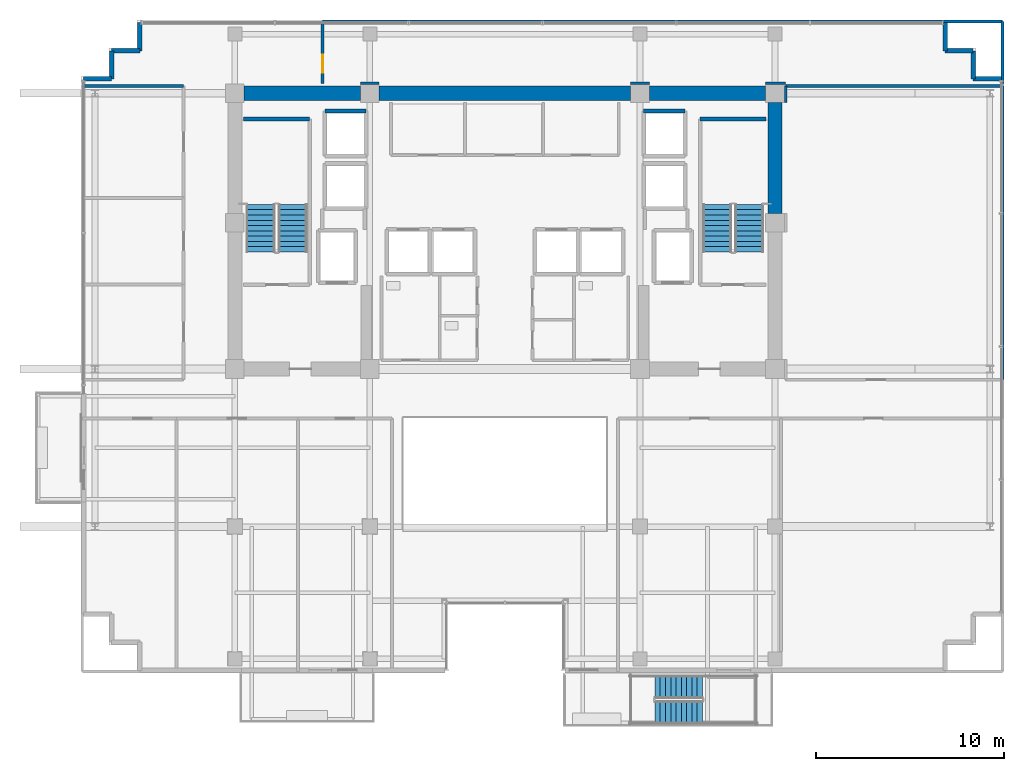
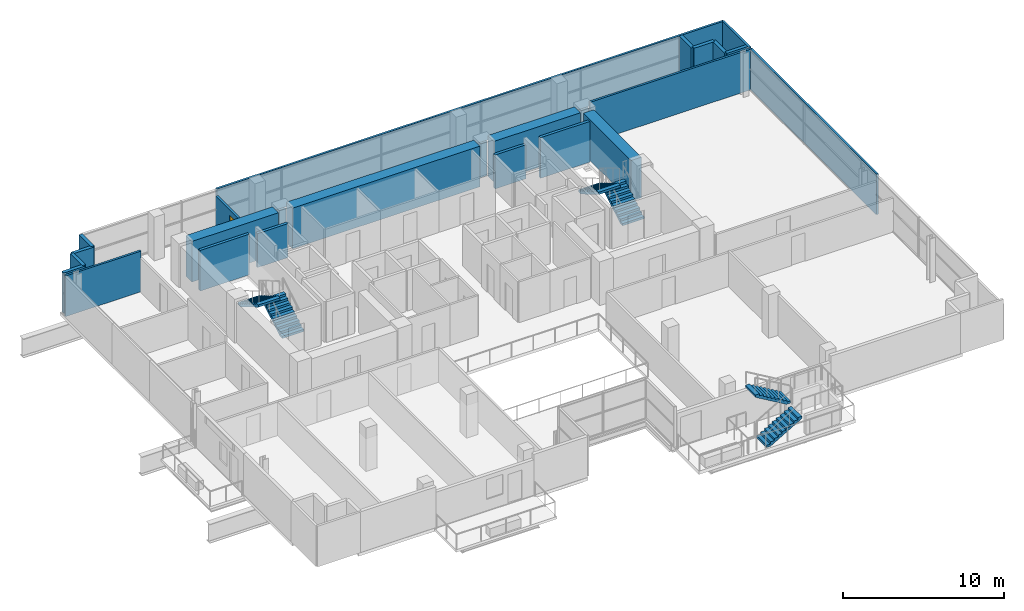
# One storey, part 19 of 23: 26 walls, 6 stair flights, 1 door, 1 opening, 3 elements without a shape of their own.
"""IFC4 building model written with IfcOpenShell, lengths in metres."""

from ifc_helpers import new_model, si_unit, direction, frame, frame_2d, origin, place, context, subcontext, project, spatial, polyline, rectangle, outline, extrude, source, transform, mapped, material, layer, layer_set, type_object, element, fill, aggregate, save


model = new_model("IFC4")

# Units and contexts
model_context = context("Model", 3, precision=1e-05, world=origin(), true_north=direction((0.0, 1.0)))
body_context = subcontext(model_context, "Body", "Model", "MODEL_VIEW")
ifc_project = project(units=[si_unit("LENGTHUNIT", "METRE"), si_unit("AREAUNIT", "SQUARE_METRE"), si_unit("VOLUMEUNIT", "CUBIC_METRE"), si_unit("PLANEANGLEUNIT", "RADIAN"), si_unit("MASSUNIT", "GRAM", prefix="KILO")], contexts=[model_context])

# Site, building, storey
site_placement = place(None, origin())
site = spatial("IfcSite", under=ifc_project, at=site_placement, CompositionType="ELEMENT")
building_placement = place(site_placement, origin())
building = spatial("IfcBuilding", under=site, at=building_placement, Name="Zarnakvel Exchange Tower", CompositionType="ELEMENT")
storey_placement = place(building_placement, frame((0.0, 0.0, 172.60009765625)))
storey = spatial("IfcBuildingStorey", under=building, at=storey_placement, Name="L48", CompositionType="ELEMENT", Elevation=172.60009765625)

# Walls
ifc_material_1 = material(Name="Concrete C60/75", Category="concrete")
ifc_layer_1 = layer(ifc_material_1, 0.75)
ifc_layer_set_1 = layer_set([ifc_layer_1], Name="Concrete C60/75")
wall_type_1 = type_object("IfcWallType", Name="CW-C3", PredefinedType="SHEAR", material=ifc_layer_set_1)
wall_1_placement = place(storey_placement, frame((-13.89990234375, 13.5, 0.0), z_axis=(0.0, 0.0, 1.0), x_axis=(1.0, 0.0, 0.0)))
element("IfcWall", 1, at=wall_1_placement, inside=storey, type_object=wall_type_1, Name="L48 Rear Core Shear Wall N1 (CW-C3)", PredefinedType="SHEAR", context=body_context, shape_type="SweptSolid", body=[
    extrude(rectangle(XDim=6.199951171875, YDim=0.75, at=frame_2d((3.10009765625, 0.0))), origin(), (0.0, 0.0, 1.0), 3.074951171875),
])
wall_2_placement = place(storey_placement, frame((-6.699951171875, 13.5, 0.0), z_axis=(0.0, 0.0, 1.0), x_axis=(1.0, 0.0, 0.0)))
element("IfcWall", 2, at=wall_2_placement, inside=storey, type_object=wall_type_1, Name="L48 Rear Core Shear Wall N2 (CW-C3)", PredefinedType="SHEAR", context=body_context, shape_type="SweptSolid", body=[
    extrude(rectangle(XDim=13.39990234375, YDim=0.75, at=frame_2d((6.699951171875, 0.0))), origin(), (0.0, 0.0, 1.0), 3.074951171875),
])
wall_3_placement = place(storey_placement, frame((7.699951171875, 13.5, 0.0), z_axis=(0.0, 0.0, 1.0), x_axis=(1.0, 0.0, 0.0)))
element("IfcWall", 3, at=wall_3_placement, inside=storey, type_object=wall_type_1, Name="L48 Rear Core Shear Wall N3 (CW-C3)", PredefinedType="SHEAR", context=body_context, shape_type="SweptSolid", body=[
    extrude(rectangle(XDim=6.199951171875, YDim=0.75, at=frame_2d((3.10009765625, 0.0))), origin(), (0.0, 0.0, 1.0), 3.074951171875),
])
wall_4_placement = place(storey_placement, frame((14.39990234375, 7.10009765625, 0.0), z_axis=(0.0, 0.0, 1.0), x_axis=(0.0, 1.0, 0.0)))
element("IfcWall", 4, at=wall_4_placement, inside=storey, type_object=wall_type_1, Name="L48 Rear Core Shear Wall E2 (CW-C3)", PredefinedType="SHEAR", context=body_context, shape_type="SweptSolid", body=[
    extrude(rectangle(XDim=5.89990234375, YDim=0.75, at=frame_2d((2.949951171875, 0.0))), origin(), (0.0, 0.0, 1.0), 3.074951171875),
])
ifc_material_2 = material(Name="Precast concrete C40/50", Category="concrete")
ifc_layer_2 = layer(ifc_material_2, 0.239990234375)
ifc_layer_set_2 = layer_set([ifc_layer_2], Name="Precast concrete C40/50")
wall_type_2 = type_object("IfcWallType", Name="EW-02", PredefinedType="SOLIDWALL", material=ifc_layer_set_2)
for number, where, z_axis, x_axis, name in (
    (5, (-20.9599609375, 14.260009765625, 0.0), (0.0, 0.0, 1.0), (-1.0, 0.0, 0.0), "L48 Exterior Precast Spandrel Wall EWC-L48-03 (EW-02)"),
    (6, (-20.9599609375, 15.760009765625, 0.0), (0.0, 0.0, 1.0), (0.0, -1.0, 0.0), "L48 Exterior Precast Spandrel Wall EWC-L48-04 (EW-02)"),
    (7, (-19.4599609375, 15.760009765625, 0.0), (0.0, 0.0, 1.0), (-1.0, 0.0, 0.0), "L48 Exterior Precast Spandrel Wall EWC-L48-05 (EW-02)"),
    (8, (-19.4599609375, 17.260009765625, 0.0), (0.0, 0.0, 1.0), (0.0, -1.0, 0.0), "L48 Exterior Precast Spandrel Wall EWC-L48-06 (EW-02)"),
    (9, (23.4599609375, 15.760009765625, 0.0), (0.0, 0.0, 1.0), (0.0, 1.0, 0.0), "L48 Exterior Precast Spandrel Wall EWC-L48-07 (EW-02)"),
    (10, (24.9599609375, 15.760009765625, 0.0), (0.0, 0.0, 1.0), (-1.0, 0.0, 0.0), "L48 Exterior Precast Spandrel Wall EWC-L48-08 (EW-02)"),
    (11, (24.9599609375, 14.260009765625, 0.0), (0.0, 0.0, 1.0), (0.0, 1.0, 0.0), "L48 Exterior Precast Spandrel Wall EWC-L48-09 (EW-02)"),
    (12, (26.4599609375, 14.260009765625, 0.0), (0.0, 0.0, 1.0), (-1.0, 0.0, 0.0), "L48 Exterior Precast Spandrel Wall EWC-L48-10 (EW-02)"),
):
    element("IfcWall", number, at=place(storey_placement, frame(where, z_axis=z_axis, x_axis=x_axis)), inside=storey, type_object=wall_type_2, Name=name, PredefinedType="SOLIDWALL", context=body_context, shape_type="SweptSolid", body=[
        extrude(rectangle(XDim=1.5, YDim=0.239990234375, at=frame_2d((0.75, 0.0))), origin(), (0.0, 0.0, 1.0), 3.074951171875),
    ])
ifc_material_3 = material(Name="Fire-Rated Gypsum Stud Partition", Category="gypsum")
ifc_layer_3 = layer(ifc_material_3, 0.14990234375)
ifc_layer_set_3 = layer_set([ifc_layer_3], Name="Fire-Rated Gypsum Stud Partition")
wall_type_3 = type_object("IfcWallType", Name="PT-01", PredefinedType="PARTITIONING", material=ifc_layer_set_3)
wall_5_placement = place(storey_placement, frame((-22.530029296875, 13.8798828125, 0.0), z_axis=(0.0, 0.0, 1.0), x_axis=(1.0, 0.0, 0.0)))
element("IfcWall", 13, at=wall_5_placement, inside=storey, type_object=wall_type_3, Name="L48 Partition Wall PWALL-L48-059 (PT-01)", PredefinedType="PARTITIONING", context=body_context, shape_type="SweptSolid", body=[
    extrude(rectangle(XDim=5.400146484375, YDim=0.14990234375, at=frame_2d((2.7001953125, 0.0))), origin(), (0.0, 0.0, 1.0), 3.074951171875),
])
wall_6_placement = place(storey_placement, frame((14.969970703125, 13.8798828125, 0.0), z_axis=(0.0, 0.0, 1.0), x_axis=(1.0, 0.0, 0.0)))
element("IfcWall", 14, at=wall_6_placement, inside=storey, type_object=wall_type_3, Name="L48 Partition Wall PWALL-L48-063 (PT-01)", PredefinedType="PARTITIONING", context=body_context, shape_type="SweptSolid", body=[
    extrude(rectangle(XDim=11.56005859375, YDim=0.14990234375, at=frame_2d((5.780029296875, 0.0))), origin(), (0.0, 0.0, 1.0), 3.074951171875),
])
wall_7_placement = place(storey_placement, frame((14.969970703125, 13.0, 0.0), z_axis=(0.0, 0.0, 1.0), x_axis=(0.0, 1.0, 0.0)))
element("IfcWall", 15, at=wall_7_placement, inside=storey, type_object=wall_type_3, Name="L48 Partition Wall PWALL-L48-066 (PT-01)", PredefinedType="PARTITIONING", context=body_context, shape_type="SweptSolid", body=[
    extrude(rectangle(XDim=0.8798828125, YDim=0.14990234375, at=frame_2d((0.43994140625, 0.0))), origin(), (0.0, 0.0, 1.0), 2.56494140625),
])
wall_8_placement = place(storey_placement, frame((26.530029296875, 13.8798828125, 0.0), z_axis=(0.0, 0.0, 1.0), x_axis=(0.0, -1.0, 0.0)))
element("IfcWall", 16, at=wall_8_placement, inside=storey, type_object=wall_type_3, Name="L48 Partition Wall PWALL-L48-067 (PT-01)", PredefinedType="PARTITIONING", context=body_context, shape_type="SweptSolid", body=[
    extrude(rectangle(XDim=15.64990234375, YDim=0.14990234375, at=frame_2d((7.824951171875, 0.0))), origin(), (0.0, 0.0, 1.0), 3.074951171875),
])
for number, where, z_axis, x_axis, name in (
    (17, (-6.699951171875, 14.030029296875, 0.0), (0.0, 0.0, 1.0), (-1.0, 0.0, 0.0), "L48 Partition Wall PWALL-L48-068 (PT-01)"),
    (18, (7.699951171875, 14.030029296875, 0.0), (0.0, 0.0, 1.0), (-1.0, 0.0, 0.0), "L48 Partition Wall PWALL-L48-069 (PT-01)"),
):
    element("IfcWall", number, at=place(storey_placement, frame(where, z_axis=z_axis, x_axis=x_axis)), inside=storey, type_object=wall_type_3, Name=name, PredefinedType="PARTITIONING", context=body_context, shape_type="SweptSolid", body=[
        extrude(rectangle(XDim=1.0, YDim=0.14990234375, at=frame_2d((0.5, 0.0))), origin(), (0.0, 0.0, 1.0), 2.56494140625),
    ])
wall_9_placement = place(storey_placement, frame((14.969970703125, 14.030029296875, 0.0), z_axis=(0.0, 0.0, 1.0), x_axis=(-1.0, 0.0, 0.0)))
element("IfcWall", 19, at=wall_9_placement, inside=storey, type_object=wall_type_3, Name="L48 Partition Wall PWALL-L48-070 (PT-01)", PredefinedType="PARTITIONING", context=body_context, shape_type="SweptSolid", body=[
    extrude(rectangle(XDim=1.070068359375, YDim=0.14990234375, at=frame_2d((0.53515625, 0.0))), origin(), (0.0, 0.0, 1.0), 2.56494140625),
])
wall_10_placement = place(storey_placement, frame((-9.719970703125, 17.330078125, 0.0), z_axis=(0.0, 0.0, 1.0), x_axis=(1.0, 0.0, 0.0)))
element("IfcWall", 20, at=wall_10_placement, inside=storey, type_object=wall_type_3, Name="L48 Partition Wall PWALL-L48-071 (PT-01)", PredefinedType="PARTITIONING", context=body_context, shape_type="SweptSolid", body=[
    extrude(rectangle(XDim=36.25, YDim=0.14990234375, at=frame_2d((18.125, 0.0))), origin(), (0.0, 0.0, 1.0), 3.074951171875),
])

# Wall, opening, door
wall_11_placement = place(storey_placement, frame((-9.719970703125, 14.030029296875, 0.0), z_axis=(0.0, 0.0, 1.0), x_axis=(0.0, 1.0, 0.0)))
wall_11 = element("IfcWall", 21, at=wall_11_placement, inside=storey, type_object=wall_type_3, Name="L48 Partition Wall PWALL-L48-072 (PT-01)", PredefinedType="PARTITIONING", context=body_context, shape_type="SweptSolid", body=[
    extrude(rectangle(XDim=3.300048828125, YDim=0.14990234375, at=frame_2d((1.64990234375, 0.0))), origin(), (0.0, 0.0, 1.0), 2.56494140625),
])
opening_placement = place(wall_11_placement, frame((0.550048828125, 0.0, 0.0)))
opening = element("IfcOpeningElement", 22, at=opening_placement, cuts=wall_11, Name="Opening D-L48-23", PredefinedType="OPENING", context=body_context, shape_type="SweptSolid", body=[
    extrude(rectangle(XDim=0.97998046875, YDim=2.14990234375, at=frame_2d((0.489990234375, 1.074951171875))), frame((0.0, 0.0849609375, 0.0), z_axis=(0.0, -1.0, 0.0), x_axis=(1.0, 0.0, 0.0)), (0.0, 0.0, 1.0), 0.169921875),
])
ifc_material_4 = material(Name="Timber Acoustic Veneer", Category="wood")
door_type = type_object("IfcDoorType", Name="DT-05", OperationType="NOTDEFINED", PredefinedType="DOOR", material=ifc_material_4)
shared_shape = source(origin(), body_context, "Body", "SweptSolid", [
    extrude(rectangle(XDim=0.97998046875, YDim=2.14990234375, at=frame_2d((0.489990234375, 1.074951171875))), frame((0.0, 0.02490234375, 0.0), z_axis=(0.0, -1.0, 0.0), x_axis=(1.0, 0.0, 0.0)), (0.0, 0.0, 1.0), 0.050048828125),
])
door_placement = place(opening_placement, origin())
door = element("IfcDoor", 23, at=door_placement, inside=storey, type_object=door_type, Name="L48 Fintech Workspace Door D-L48-23", OperationType="SINGLE_SWING_RIGHT", OverallHeight=2.14990234375, OverallWidth=0.97998046875, PredefinedType="DOOR", context=body_context, shape_type="MappedRepresentation", body=[
    mapped(shared_shape, transform((0.0, 0.0, 0.0), x_axis=(1.0, 0.0, 0.0), y_axis=(0.0, 1.0, 0.0), z_axis=(0.0, 0.0, 1.0), scale=1.0)),
])
fill(opening, door)

# Walls
wall_12_placement = place(storey_placement, frame((26.530029296875, 17.330078125, 0.0), z_axis=(0.0, 0.0, 1.0), x_axis=(0.0, -1.0, 0.0)))
element("IfcWall", 24, at=wall_12_placement, inside=storey, type_object=wall_type_3, Name="L48 Partition Wall PWALL-L48-073 (PT-01)", PredefinedType="PARTITIONING", context=body_context, shape_type="SweptSolid", body=[
    extrude(rectangle(XDim=3.300048828125, YDim=0.14990234375, at=frame_2d((1.64990234375, 0.0))), origin(), (0.0, 0.0, 1.0), 3.074951171875),
])
ifc_material_5 = material(Name="Concrete C40/50", Category="concrete")
ifc_layer_4 = layer(ifc_material_5, 0.199951171875)
ifc_layer_set_4 = layer_set([ifc_layer_4], Name="Concrete C40/50")
wall_type_4 = type_object("IfcWallType", Name="SW-01", PredefinedType="SOLIDWALL", material=ifc_layer_set_4)
for number, where, z_axis, x_axis, name in (
    (25, (-9.60009765625, 12.550048828125, 0.0), (0.0, 0.0, 1.0), (1.0, 0.0, 0.0), "L48 PL-10 Hoistway Wall North"),
    (26, (7.39990234375, 12.550048828125, 0.0), (0.0, 0.0, 1.0), (1.0, 0.0, 0.0), "L48 PL-12 Hoistway Wall North"),
):
    element("IfcWall", number, at=place(storey_placement, frame(where, z_axis=z_axis, x_axis=x_axis)), inside=storey, type_object=wall_type_4, Name=name, PredefinedType="SOLIDWALL", context=body_context, shape_type="SweptSolid", body=[
        extrude(rectangle(XDim=2.2001953125, YDim=0.199951171875, at=frame_2d((1.10009765625, 0.0))), origin(), (0.0, 0.0, 1.0), 2.56494140625),
    ])
ifc_layer_5 = layer(ifc_material_5, 0.199951171875)
ifc_layer_set_5 = layer_set([ifc_layer_5], Name="Concrete C40/50")
wall_type_5 = type_object("IfcWallType", Name="SW-02", PredefinedType="SOLIDWALL", material=ifc_layer_set_5)
for number, where, z_axis, x_axis, name in (
    (27, (-13.929931640625, 12.1298828125, 0.0), (0.0, 0.0, 1.0), (1.0, 0.0, 0.0), "L48 Stairwell Core Wall PWALL-L48-002 (SW-02)"),
    (28, (10.409912109375, 12.1298828125, 0.0), (0.0, 0.0, 1.0), (1.0, 0.0, 0.0), "L48 Stairwell Core Wall PWALL-L48-005 (SW-02)"),
):
    element("IfcWall", number, at=place(storey_placement, frame(where, z_axis=z_axis, x_axis=x_axis)), inside=storey, type_object=wall_type_5, Name=name, PredefinedType="SOLIDWALL", context=body_context, shape_type="SweptSolid", body=[
        extrude(rectangle(XDim=3.52001953125, YDim=0.199951171875, at=frame_2d((1.760009765625, 0.0))), origin(), (0.0, 0.0, 1.0), 3.074951171875),
    ])

# Stair, stair flights
stair_type_1 = type_object("IfcStairType", Name="STR-01", PredefinedType="HALF_TURN_STAIR", material=ifc_material_5)
stair_1_placement = place(storey_placement, origin())
stair_1 = element("IfcStair", 29, at=stair_1_placement, inside=storey, type_object=stair_type_1, Name="L48 Protected Core Exit Stair ST-01", PredefinedType="HALF_TURN_STAIR")
stair_flight_type_1 = type_object("IfcStairFlightType", Name="FLT-01", PredefinedType="STRAIGHT", material=ifc_material_5)
stair_flight_1_placement = place(storey_placement, frame((-11.31494140625, 5.050048828125, 0.0), z_axis=(0.0, 0.0, 1.0), x_axis=(0.0, 1.0, 0.0)))
stair_flight_1 = element("IfcStairFlight", 30, at=stair_flight_1_placement, type_object=stair_flight_type_1, Name="ST-01 flight 1", NumberOfRisers=10, NumberOfTreads=9, PredefinedType="STRAIGHT", RiserHeight=0.165, TreadLength=0.28, context=body_context, shape_type="SweptSolid", body=[
    extrude(outline(polyline([(0.0, 0.0), (0.0, 0.1650390625), (0.280029296875, 0.1650390625), (0.280029296875, 0.330078125), (0.56005859375, 0.330078125), (0.56005859375, 0.4951171875), (0.840087890625, 0.4951171875), (0.840087890625, 0.659912109375), (1.1201171875, 0.659912109375), (1.1201171875, 0.824951171875), (1.39990234375, 0.824951171875), (1.39990234375, 0.989990234375), (1.679931640625, 0.989990234375), (1.679931640625, 1.155029296875), (1.9599609375, 1.155029296875), (1.9599609375, 1.320068359375), (2.239990234375, 1.320068359375), (2.239990234375, 1.485107421875), (2.52001953125, 1.485107421875), (2.52001953125, 1.64990234375), (2.52001953125, 1.31103515625), (0.295166015625, 0.0), (0.0, 0.0)])), frame((0.0, 0.77490234375, 0.0), z_axis=(0.0, -1.0, 0.0), x_axis=(1.0, 0.0, 0.0)), (0.0, 0.0, 1.0), 1.550048828125),
])
stair_flight_2_placement = place(storey_placement, frame((-13.02490234375, 7.570068359375, 1.64990234375), z_axis=(0.0, 0.0, 1.0), x_axis=(0.0, -1.0, 0.0)))
stair_flight_2 = element("IfcStairFlight", 31, at=stair_flight_2_placement, type_object=stair_flight_type_1, Name="ST-01 flight 2", NumberOfRisers=10, NumberOfTreads=9, PredefinedType="STRAIGHT", RiserHeight=0.165, TreadLength=0.28, context=body_context, shape_type="SweptSolid", body=[
    extrude(outline(polyline([(0.0, 0.0), (0.0, 0.1650390625), (0.280029296875, 0.1650390625), (0.280029296875, 0.330078125), (0.56005859375, 0.330078125), (0.56005859375, 0.4951171875), (0.840087890625, 0.4951171875), (0.840087890625, 0.659912109375), (1.1201171875, 0.659912109375), (1.1201171875, 0.824951171875), (1.39990234375, 0.824951171875), (1.39990234375, 0.989990234375), (1.679931640625, 0.989990234375), (1.679931640625, 1.155029296875), (1.9599609375, 1.155029296875), (1.9599609375, 1.320068359375), (2.239990234375, 1.320068359375), (2.239990234375, 1.485107421875), (2.52001953125, 1.485107421875), (2.52001953125, 1.64990234375), (2.52001953125, 1.31103515625), (0.295166015625, 0.0), (0.0, 0.0)])), frame((0.0, 0.77490234375, 0.0), z_axis=(0.0, -1.0, 0.0), x_axis=(1.0, 0.0, 0.0)), (0.0, 0.0, 1.0), 1.550048828125),
])
aggregate(stair_1, [stair_flight_1, stair_flight_2])

stair_2_placement = place(storey_placement, origin())
stair_2 = element("IfcStair", 32, at=stair_2_placement, inside=storey, type_object=stair_type_1, Name="L48 Protected Core Exit Stair ST-02", PredefinedType="HALF_TURN_STAIR")
stair_flight_3_placement = place(storey_placement, frame((13.02490234375, 5.050048828125, 0.0), z_axis=(0.0, 0.0, 1.0), x_axis=(0.0, 1.0, 0.0)))
stair_flight_3 = element("IfcStairFlight", 33, at=stair_flight_3_placement, type_object=stair_flight_type_1, Name="ST-02 flight 1", NumberOfRisers=10, NumberOfTreads=9, PredefinedType="STRAIGHT", RiserHeight=0.165, TreadLength=0.28, context=body_context, shape_type="SweptSolid", body=[
    extrude(outline(polyline([(0.0, 0.0), (0.0, 0.1650390625), (0.280029296875, 0.1650390625), (0.280029296875, 0.330078125), (0.56005859375, 0.330078125), (0.56005859375, 0.4951171875), (0.840087890625, 0.4951171875), (0.840087890625, 0.659912109375), (1.1201171875, 0.659912109375), (1.1201171875, 0.824951171875), (1.39990234375, 0.824951171875), (1.39990234375, 0.989990234375), (1.679931640625, 0.989990234375), (1.679931640625, 1.155029296875), (1.9599609375, 1.155029296875), (1.9599609375, 1.320068359375), (2.239990234375, 1.320068359375), (2.239990234375, 1.485107421875), (2.52001953125, 1.485107421875), (2.52001953125, 1.64990234375), (2.52001953125, 1.31103515625), (0.295166015625, 0.0), (0.0, 0.0)])), frame((0.0, 0.77490234375, 0.0), z_axis=(0.0, -1.0, 0.0), x_axis=(1.0, 0.0, 0.0)), (0.0, 0.0, 1.0), 1.550048828125),
])
stair_flight_4_placement = place(storey_placement, frame((11.31494140625, 7.570068359375, 1.64990234375), z_axis=(0.0, 0.0, 1.0), x_axis=(0.0, -1.0, 0.0)))
stair_flight_4 = element("IfcStairFlight", 34, at=stair_flight_4_placement, type_object=stair_flight_type_1, Name="ST-02 flight 2", NumberOfRisers=10, NumberOfTreads=9, PredefinedType="STRAIGHT", RiserHeight=0.165, TreadLength=0.28, context=body_context, shape_type="SweptSolid", body=[
    extrude(outline(polyline([(0.0, 0.0), (0.0, 0.1650390625), (0.280029296875, 0.1650390625), (0.280029296875, 0.330078125), (0.56005859375, 0.330078125), (0.56005859375, 0.4951171875), (0.840087890625, 0.4951171875), (0.840087890625, 0.659912109375), (1.1201171875, 0.659912109375), (1.1201171875, 0.824951171875), (1.39990234375, 0.824951171875), (1.39990234375, 0.989990234375), (1.679931640625, 0.989990234375), (1.679931640625, 1.155029296875), (1.9599609375, 1.155029296875), (1.9599609375, 1.320068359375), (2.239990234375, 1.320068359375), (2.239990234375, 1.485107421875), (2.52001953125, 1.485107421875), (2.52001953125, 1.64990234375), (2.52001953125, 1.31103515625), (0.295166015625, 0.0), (0.0, 0.0)])), frame((0.0, 0.77490234375, 0.0), z_axis=(0.0, -1.0, 0.0), x_axis=(1.0, 0.0, 0.0)), (0.0, 0.0, 1.0), 1.550048828125),
])
aggregate(stair_2, [stair_flight_3, stair_flight_4])

stair_type_2 = type_object("IfcStairType", Name="STR-05", PredefinedType="HALF_TURN_STAIR", material=ifc_material_5)
stair_3_placement = place(storey_placement, origin())
stair_3 = element("IfcStair", 35, at=stair_3_placement, inside=storey, type_object=stair_type_2, Name="L48 Spiral Sky-Terrace Connecting Stair ST-12", PredefinedType="HALF_TURN_STAIR")
stair_flight_type_2 = type_object("IfcStairFlightType", Name="FLT-05", PredefinedType="STRAIGHT", material=ifc_material_5)
stair_flight_5_placement = place(storey_placement, frame((8.0, -19.514892578125, 0.0), z_axis=(0.0, 0.0, 1.0), x_axis=(1.0, 0.0, 0.0)))
stair_flight_5 = element("IfcStairFlight", 36, at=stair_flight_5_placement, type_object=stair_flight_type_2, Name="ST-12 flight 1", NumberOfRisers=10, NumberOfTreads=9, PredefinedType="STRAIGHT", RiserHeight=0.165, TreadLength=0.28, context=body_context, shape_type="SweptSolid", body=[
    extrude(outline(polyline([(0.0, 0.0), (0.0, 0.1650390625), (0.280029296875, 0.1650390625), (0.280029296875, 0.330078125), (0.56005859375, 0.330078125), (0.56005859375, 0.4951171875), (0.840087890625, 0.4951171875), (0.840087890625, 0.659912109375), (1.1201171875, 0.659912109375), (1.1201171875, 0.824951171875), (1.39990234375, 0.824951171875), (1.39990234375, 0.989990234375), (1.679931640625, 0.989990234375), (1.679931640625, 1.155029296875), (1.9599609375, 1.155029296875), (1.9599609375, 1.320068359375), (2.239990234375, 1.320068359375), (2.239990234375, 1.485107421875), (2.52001953125, 1.485107421875), (2.52001953125, 1.64990234375), (2.52001953125, 1.31103515625), (0.295166015625, 0.0), (0.0, 0.0)])), frame((0.0, 0.625, 0.0), z_axis=(0.0, -1.0, 0.0), x_axis=(1.0, 0.0, 0.0)), (0.0, 0.0, 1.0), 1.25),
])
stair_flight_6_placement = place(storey_placement, frame((10.52001953125, -18.14501953125, 1.64990234375), z_axis=(0.0, 0.0, 1.0), x_axis=(-1.0, 0.0, 0.0)))
stair_flight_6 = element("IfcStairFlight", 37, at=stair_flight_6_placement, type_object=stair_flight_type_2, Name="ST-12 flight 2", NumberOfRisers=10, NumberOfTreads=9, PredefinedType="STRAIGHT", RiserHeight=0.165, TreadLength=0.28, context=body_context, shape_type="SweptSolid", body=[
    extrude(outline(polyline([(0.0, 0.0), (0.0, 0.1650390625), (0.280029296875, 0.1650390625), (0.280029296875, 0.330078125), (0.56005859375, 0.330078125), (0.56005859375, 0.4951171875), (0.840087890625, 0.4951171875), (0.840087890625, 0.659912109375), (1.1201171875, 0.659912109375), (1.1201171875, 0.824951171875), (1.39990234375, 0.824951171875), (1.39990234375, 0.989990234375), (1.679931640625, 0.989990234375), (1.679931640625, 1.155029296875), (1.9599609375, 1.155029296875), (1.9599609375, 1.320068359375), (2.239990234375, 1.320068359375), (2.239990234375, 1.485107421875), (2.52001953125, 1.485107421875), (2.52001953125, 1.64990234375), (2.52001953125, 1.31103515625), (0.295166015625, 0.0), (0.0, 0.0)])), frame((0.0, 0.625, 0.0), z_axis=(0.0, -1.0, 0.0), x_axis=(1.0, 0.0, 0.0)), (0.0, 0.0, 1.0), 1.25),
])
aggregate(stair_3, [stair_flight_5, stair_flight_6])

save(model, "model.ifc")
